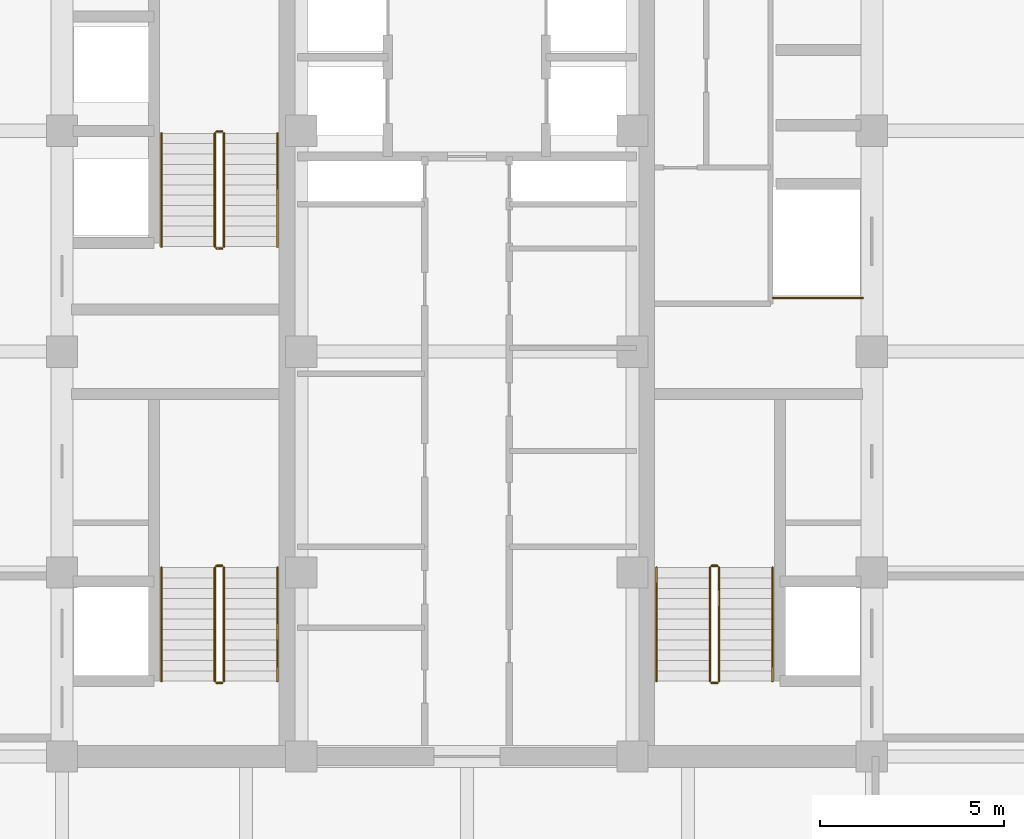
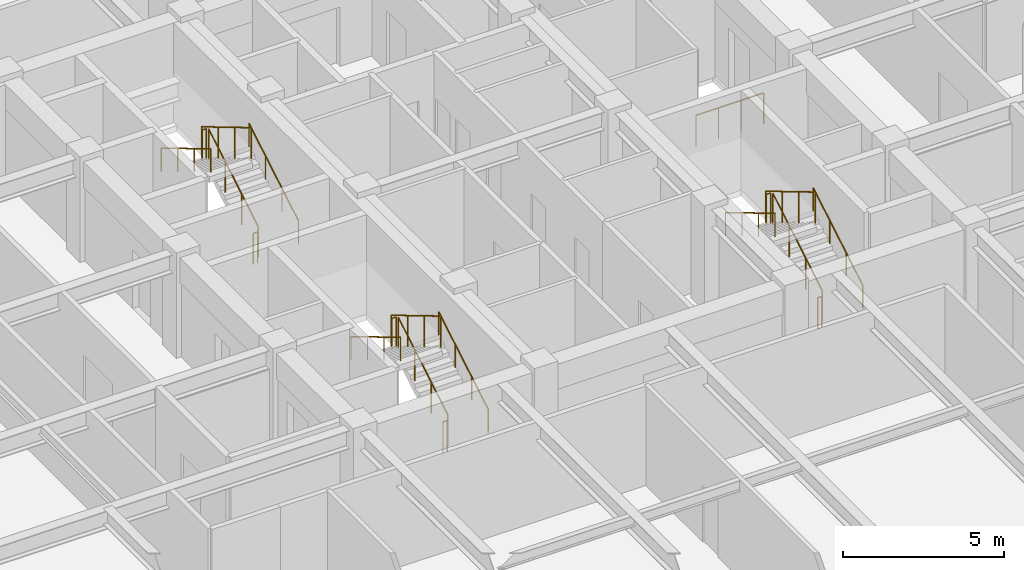
# One storey, part 25 of 25: 19 railings.
"""IFC4 building model written with IfcOpenShell, lengths in metres."""

import ifcopenshell
import ifcopenshell.guid

model = None  # the IFC model being written
_history = None  # IfcOwnerHistory: only IFC2X3 demands one
_inside = {}  # id of a spatial element -> (the spatial element, [elements in it])
_under = {}  # id of a project, library or spatial element -> (it, [spatial elements below it])
_declared = {}  # id of a project -> (the project, [libraries it declares])
_typed = {}  # id of a type object -> (the type object, [elements of that type])
_made_of = {}  # id of a material, layer set ... -> (it, [elements and type objects made of it])


def new_model(schema):
    """Start an empty IFC model of exactly this schema.

    Asked for "IFC4X3", IfcOpenShell would pick the latest addendum, in which some entities
    have other attributes; the version numbers below select the first issue.
    IFC2X3 requires an IfcOwnerHistory on every rooted entity: one is made here for all.
    """
    global model, _history
    if schema == "IFC4X3":
        model = ifcopenshell.file(schema_version=(4, 3, 0, 0))
    else:
        model = ifcopenshell.file(schema=schema)
    _inside.clear()
    _under.clear()
    _declared.clear()
    _typed.clear()
    _made_of.clear()
    _history = None
    if model.schema == "IFC2X3":
        org = make("IfcOrganization", Name="unknown")
        user = make(
            "IfcPersonAndOrganization",
            ThePerson=make("IfcPerson", FamilyName="unknown"),
            TheOrganization=org,
        )
        app = make(
            "IfcApplication",
            ApplicationDeveloper=org,
            Version="unknown",
            ApplicationFullName="unknown",
            ApplicationIdentifier="unknown",
        )
        _history = make(
            "IfcOwnerHistory",
            OwningUser=user,
            OwningApplication=app,
            ChangeAction="ADDED",
            CreationDate=0,
        )
    return model


def make(cls, **values):
    """One entity of the class cls with the attributes given. An attribute that is None is left unset."""
    return model.create_entity(
        cls, **{name: value for name, value in values.items() if value is not None}
    )


def rooted(cls, **values):
    """An entity with a GlobalId (a new one), such as an element, a storey or a relation."""
    return make(cls, GlobalId=ifcopenshell.guid.new(), OwnerHistory=_history, **values)


def si_unit(unit_type, name, prefix=None):
    """IfcSIUnit, for example si_unit("LENGTHUNIT", "METRE", prefix="MILLI")."""
    return make("IfcSIUnit", UnitType=unit_type, Prefix=prefix, Name=name)


def assignment(units):
    """IfcUnitAssignment: the units of a project."""
    return None if units is None else make("IfcUnitAssignment", Units=units)


def point(xyz):
    """IfcCartesianPoint."""
    return None if xyz is None else make("IfcCartesianPoint", Coordinates=xyz)


def direction(xyz):
    """IfcDirection."""
    return None if xyz is None else make("IfcDirection", DirectionRatios=xyz)


def frame(location, z_axis=None, x_axis=None):
    """IfcAxis2Placement3D, a coordinate frame: its origin and axes. An axis left out is left unset."""
    return make(
        "IfcAxis2Placement3D",
        Location=point(location),
        Axis=direction(z_axis),
        RefDirection=direction(x_axis),
    )


def frame_2d(location, x_axis=None):
    """IfcAxis2Placement2D, a coordinate frame in the plane: its origin and x axis."""
    return make(
        "IfcAxis2Placement2D", Location=point(location), RefDirection=direction(x_axis)
    )


def origin():
    """The frame at (0, 0, 0) with its axes left unset."""
    return frame((0.0, 0.0, 0.0))


def origin_2d():
    """The frame at (0, 0) in the plane with its x axis left unset."""
    return frame_2d((0.0, 0.0))


def place(relative_to, where):
    """IfcLocalPlacement: puts the frame where relative to a parent placement (None: the world)."""
    return make(
        "IfcLocalPlacement", PlacementRelTo=relative_to, RelativePlacement=where
    )


def context(
    kind, dimensions, precision=None, world=None, true_north=None, identifier=None
):
    """IfcGeometricRepresentationContext, for example the 3D "Model" context."""
    return make(
        "IfcGeometricRepresentationContext",
        ContextIdentifier=identifier,
        ContextType=kind,
        CoordinateSpaceDimension=dimensions,
        Precision=precision,
        WorldCoordinateSystem=world,
        TrueNorth=true_north,
    )


def subcontext(parent, identifier, kind, view, scale=None):
    """IfcGeometricRepresentationSubContext, for example "Body" below "Model"."""
    return make(
        "IfcGeometricRepresentationSubContext",
        ContextIdentifier=identifier,
        ContextType=kind,
        ParentContext=parent,
        TargetScale=scale,
        TargetView=view,
    )


def project(units=None, contexts=None):
    """IfcProject with its units and contexts."""
    return rooted(
        "IfcProject",
        Name="project",
        RepresentationContexts=contexts,
        UnitsInContext=assignment(units),
    )


def spatial(cls, under=None, at=None, **own):
    """A site, building, storey or space (cls), placed at a placement, below another one or the project."""
    s = rooted(cls, ObjectPlacement=at, **own)
    if under is not None:
        _under.setdefault(under.id(), (under, []))[1].append(s)
    return s


def profile(cls, at=None, kind="AREA", **sizes):
    """A parametric profile (cls). Its sizes go by their IFC names, for example OverallWidth=200.0."""
    return make(cls, ProfileType=kind, Position=at, **sizes)


def circle(**sizes):
    """IfcCircleProfileDef."""
    return profile("IfcCircleProfileDef", **sizes)


def extrude(swept, where, along, depth):
    """IfcExtrudedAreaSolid: the profile swept, set in the frame where, extruded along a direction by depth."""
    return make(
        "IfcExtrudedAreaSolid",
        SweptArea=swept,
        Position=where,
        ExtrudedDirection=direction(along),
        Depth=depth,
    )


def shape(context_of_items, identifier, shape_type, items):
    """IfcShapeRepresentation: the items that make up one representation, for example the "Body"."""
    return make(
        "IfcShapeRepresentation",
        ContextOfItems=context_of_items,
        RepresentationIdentifier=identifier,
        RepresentationType=shape_type,
        Items=items,
    )


def source(mapping_origin, context_of_items, identifier, shape_type, items):
    """IfcRepresentationMap: a shape defined once, which mapped items show again and again."""
    return make(
        "IfcRepresentationMap",
        MappingOrigin=mapping_origin,
        MappedRepresentation=shape(context_of_items, identifier, shape_type, items),
    )


def transform(
    local_origin,
    x_axis=None,
    y_axis=None,
    z_axis=None,
    scale=None,
    scale2=None,
    scale3=None,
    uniform=True,
):
    """IfcCartesianTransformationOperator3D, or its non-uniform kind. x_axis, y_axis, z_axis: its Axis1, 2, 3."""
    if uniform:
        return make(
            "IfcCartesianTransformationOperator3D",
            Axis1=direction(x_axis),
            Axis2=direction(y_axis),
            LocalOrigin=point(local_origin),
            Scale=scale,
            Axis3=direction(z_axis),
        )
    return make(
        "IfcCartesianTransformationOperator3DnonUniform",
        Axis1=direction(x_axis),
        Axis2=direction(y_axis),
        LocalOrigin=point(local_origin),
        Scale=scale,
        Axis3=direction(z_axis),
        Scale2=scale2,
        Scale3=scale3,
    )


def mapped(mapping_source, mapping_target):
    """IfcMappedItem: shows the shape of a source again, moved by a transform."""
    return make(
        "IfcMappedItem", MappingSource=mapping_source, MappingTarget=mapping_target
    )


def material(Name=None, Category=None):
    """IfcMaterial."""
    return make("IfcMaterial", Name=Name, Category=Category)


def made_of(thing, what):
    """Note that an element or type object is made of a material, layer set ...; save() writes the relation."""
    if what is not None:
        _made_of.setdefault(what.id(), (what, []))[1].append(thing)
    return thing


def type_object(cls, material=None, **own):
    """A type object (cls), such as IfcWallType, which elements share."""
    return made_of(rooted(cls, **own), material)


def element(
    cls,
    number,
    at=None,
    inside=None,
    cuts=None,
    type_object=None,
    material=None,
    context=None,
    identifier="Body",
    shape_type=None,
    held_by="IfcProductDefinitionShape",
    body=None,
    shapes=None,
    **own,
):
    """One element of the class cls, such as IfcWall. Its Tag is "e" and its number.

    at: its placement. inside: the storey or other place that contains it. cuts: it is an
    opening in that element (IfcRelVoidsElement). A single representation is given by context,
    identifier, shape_type and body (its items); several are given by shapes. held_by: the class
    of the entity that holds the representations. save() writes the other relations.
    """
    e = rooted(cls, Tag="e%d" % number, ObjectPlacement=at, **own)
    if body is not None:
        shapes = [shape(context, identifier, shape_type, body)]
    if shapes is not None:
        e.Representation = make(held_by, Representations=shapes)
    if inside is not None:
        _inside.setdefault(inside.id(), (inside, []))[1].append(e)
    if cuts is not None:
        rooted(
            "IfcRelVoidsElement", RelatingBuildingElement=cuts, RelatedOpeningElement=e
        )
    if type_object is not None:
        _typed.setdefault(type_object.id(), (type_object, []))[1].append(e)
    return made_of(e, material)


def aggregate(whole, parts):
    """IfcRelAggregates: a whole, such as a stair, and the parts it consists of."""
    return rooted("IfcRelAggregates", RelatingObject=whole, RelatedObjects=parts)


def save(model, path):
    """Write the relations noted so far, then the file.

    IfcRelAggregates (storeys below a building ...), IfcRelContainedInSpatialStructure (elements
    in a storey), IfcRelDefinesByType, IfcRelAssociatesMaterial and IfcRelDeclares: one each for
    every whole, place, type object, material and project.
    """
    for whole, parts in _under.values():
        aggregate(whole, parts)
    for where, things in _inside.values():
        rooted(
            "IfcRelContainedInSpatialStructure",
            RelatedElements=things,
            RelatingStructure=where,
        )
    for kind, things in _typed.values():
        rooted("IfcRelDefinesByType", RelatedObjects=things, RelatingType=kind)
    for what, things in _made_of.values():
        rooted("IfcRelAssociatesMaterial", RelatedObjects=things, RelatingMaterial=what)
    for by, libraries in _declared.values():
        rooted("IfcRelDeclares", RelatingContext=by, RelatedDefinitions=libraries)
    model.write(path)


model = new_model("IFC4")

# Units and contexts
model_context = context("Model", 3, precision=1e-05, world=origin(), true_north=direction((0.0, 1.0)))
body_context = subcontext(model_context, "Body", "Model", "MODEL_VIEW")
ifc_project = project(units=[si_unit("LENGTHUNIT", "METRE"), si_unit("AREAUNIT", "SQUARE_METRE"), si_unit("VOLUMEUNIT", "CUBIC_METRE"), si_unit("PLANEANGLEUNIT", "RADIAN"), si_unit("MASSUNIT", "GRAM", prefix="KILO")], contexts=[model_context])

# Site, building, storey
site_placement = place(None, origin())
site = spatial("IfcSite", under=ifc_project, at=site_placement, CompositionType="ELEMENT")
building_placement = place(site_placement, origin())
building = spatial("IfcBuilding", under=site, at=building_placement, Name="Khorayat Bourse Tower", CompositionType="ELEMENT")
storey_placement = place(building_placement, frame((0.0, 0.0, 255.10009765625)))
storey = spatial("IfcBuildingStorey", under=building, at=storey_placement, Name="L60", CompositionType="ELEMENT", Elevation=255.10009765625)

# Railings
ifc_material_1 = material(Name="Powder-coated steel balustrade", Category="steel")
railing_type_1 = type_object("IfcRailingType", Name="RLG-GUARD-1200", PredefinedType="GUARDRAIL", material=ifc_material_1)
shared_shape_1 = source(origin(), body_context, "Body", "SweptSolid", [
    extrude(circle(Radius=0.02392578125, at=origin_2d()), frame((0.0, 0.0, 1.17578125), z_axis=(-1.0, 0.0, 0.0), x_axis=(0.0, -1.0, 0.0)), (0.0, 0.0, 1.0), 0.150146484375),
    extrude(circle(Radius=0.02099609375, at=origin_2d()), origin(), (0.0, 0.0, 1.0), 1.15185546875),
    extrude(circle(Radius=0.02099609375, at=origin_2d()), frame((-0.150146484375, 0.0, 0.0)), (0.0, 0.0, 1.0), 1.15185546875),
])
for number, where, name in (
    (1, (-6.64990234375, -5.820068359375, 2.0), "L60 ST-1 stair guard 2"),
    (2, (-6.64990234375, -9.0, 0.0), "L60 ST-1 stair guard 4"),
    (3, (-6.64990234375, 5.97998046875, 2.0), "L60 ST-2 stair guard 2"),
    (4, (-6.64990234375, 2.800048828125, 0.0), "L60 ST-2 stair guard 4"),
    (5, (6.800048828125, -5.820068359375, 2.0), "L60 ST-3 stair guard 2"),
    (6, (6.800048828125, -9.0, 0.0), "L60 ST-3 stair guard 4"),
):
    element("IfcRailing", number, at=place(storey_placement, frame(where)), inside=storey, type_object=railing_type_1, Name=name, PredefinedType="GUARDRAIL", context=body_context, shape_type="MappedRepresentation", body=[
        mapped(shared_shape_1, transform((0.0, 0.0, 0.0), scale=1.0)),
    ])
shared_shape_2 = source(origin(), body_context, "Body", "SweptSolid", [
    extrude(circle(Radius=0.02392578125, at=origin_2d()), frame((0.0, 0.0, 1.17578125), z_axis=(0.0, 0.859260807169, 0.511537745687), x_axis=(-1.0, 0.0, 0.0)), (0.0, 0.0, 1.0), 3.584228515625),
    extrude(circle(Radius=0.02099609375, at=origin_2d()), origin(), (0.0, 0.0, 1.0), 1.15185546875),
    extrude(circle(Radius=0.02099609375, at=origin_2d()), frame((0.0, 1.026611328125, 0.611083984375)), (0.0, 0.0, 1.0), 1.15185546875),
    extrude(circle(Radius=0.02099609375, at=origin_2d()), frame((0.0, 2.05322265625, 1.222412109375)), (0.0, 0.0, 1.0), 1.15185546875),
    extrude(circle(Radius=0.02099609375, at=origin_2d()), frame((0.0, 3.079833984375, 1.83349609375)), (0.0, 0.0, 1.0), 1.15185546875),
])
for number, where, name in (
    (7, (-6.60009765625, -8.949951171875, 0.16650390625), "L60 ST-1 stair guard 1"),
    (8, (-6.60009765625, 2.85009765625, 0.16650390625), "L60 ST-2 stair guard 1"),
    (9, (6.85009765625, -8.949951171875, 0.16650390625), "L60 ST-3 stair guard 1"),
):
    element("IfcRailing", number, at=place(storey_placement, frame(where)), inside=storey, type_object=railing_type_1, Name=name, PredefinedType="GUARDRAIL", context=body_context, shape_type="MappedRepresentation", body=[
        mapped(shared_shape_2, transform((0.0, 0.0, 0.0), scale=1.0)),
    ])
shared_shape_3 = source(origin(), body_context, "Body", "SweptSolid", [
    extrude(circle(Radius=0.02392578125, at=origin_2d()), frame((0.0, 0.0, 1.17578125), z_axis=(0.0, -0.859260807169, 0.511537745687), x_axis=(1.0, 0.0, 0.0)), (0.0, 0.0, 1.0), 3.584228515625),
    extrude(circle(Radius=0.02099609375, at=origin_2d()), origin(), (0.0, 0.0, 1.0), 1.15185546875),
    extrude(circle(Radius=0.02099609375, at=origin_2d()), frame((0.0, -1.026611328125, 0.611083984375)), (0.0, 0.0, 1.0), 1.15185546875),
    extrude(circle(Radius=0.02099609375, at=origin_2d()), frame((0.0, -2.05322265625, 1.222412109375)), (0.0, 0.0, 1.0), 1.15185546875),
    extrude(circle(Radius=0.02099609375, at=origin_2d()), frame((0.0, -3.079833984375, 1.83349609375)), (0.0, 0.0, 1.0), 1.15185546875),
])
for number, where, name in (
    (10, (-6.85009765625, -5.8701171875, 2.16650390625), "L60 ST-1 stair guard 3"),
    (11, (-6.85009765625, 5.929931640625, 2.16650390625), "L60 ST-2 stair guard 3"),
    (12, (6.60009765625, -5.8701171875, 2.16650390625), "L60 ST-3 stair guard 3"),
):
    element("IfcRailing", number, at=place(storey_placement, frame(where)), inside=storey, type_object=railing_type_1, Name=name, PredefinedType="GUARDRAIL", context=body_context, shape_type="MappedRepresentation", body=[
        mapped(shared_shape_3, transform((0.0, 0.0, 0.0), scale=1.0)),
    ])
ifc_material_2 = material(Name="Brushed bronze stainless-steel handrail", Category="steel")
railing_type_2 = type_object("IfcRailingType", Name="RLG-HAND-900", PredefinedType="HANDRAIL", material=ifc_material_2)
shared_shape_4 = source(origin(), body_context, "Body", "SweptSolid", [
    extrude(circle(Radius=0.02392578125, at=origin_2d()), frame((0.0, 0.0, 0.8759765625), z_axis=(0.0, 0.859260807169, 0.511537745687), x_axis=(-1.0, 0.0, 0.0)), (0.0, 0.0, 1.0), 3.584228515625),
    extrude(circle(Radius=0.02099609375, at=origin_2d()), origin(), (0.0, 0.0, 1.0), 0.851806640625),
    extrude(circle(Radius=0.02099609375, at=origin_2d()), frame((0.0, 1.026611328125, 0.611083984375)), (0.0, 0.0, 1.0), 0.851806640625),
    extrude(circle(Radius=0.02099609375, at=origin_2d()), frame((0.0, 2.05322265625, 1.222412109375)), (0.0, 0.0, 1.0), 0.851806640625),
    extrude(circle(Radius=0.02099609375, at=origin_2d()), frame((0.0, 3.079833984375, 1.83349609375)), (0.0, 0.0, 1.0), 0.851806640625),
])
for number, where, name in (
    (13, (-5.14990234375, -8.949951171875, 0.16650390625), "L60 ST-1 stair handrail 1"),
    (14, (-5.14990234375, 2.85009765625, 0.16650390625), "L60 ST-2 stair handrail 1"),
    (15, (8.300048828125, -8.949951171875, 0.16650390625), "L60 ST-3 stair handrail 1"),
):
    element("IfcRailing", number, at=place(storey_placement, frame(where)), inside=storey, type_object=railing_type_2, Name=name, PredefinedType="HANDRAIL", context=body_context, shape_type="MappedRepresentation", body=[
        mapped(shared_shape_4, transform((0.0, 0.0, 0.0), scale=1.0)),
    ])
shared_shape_5 = source(origin(), body_context, "Body", "SweptSolid", [
    extrude(circle(Radius=0.02392578125, at=origin_2d()), frame((0.0, 0.0, 0.8759765625), z_axis=(0.0, -0.859260807169, 0.511537745687), x_axis=(1.0, 0.0, 0.0)), (0.0, 0.0, 1.0), 3.584228515625),
    extrude(circle(Radius=0.02099609375, at=origin_2d()), origin(), (0.0, 0.0, 1.0), 0.851806640625),
    extrude(circle(Radius=0.02099609375, at=origin_2d()), frame((0.0, -1.026611328125, 0.611083984375)), (0.0, 0.0, 1.0), 0.851806640625),
    extrude(circle(Radius=0.02099609375, at=origin_2d()), frame((0.0, -2.05322265625, 1.222412109375)), (0.0, 0.0, 1.0), 0.851806640625),
    extrude(circle(Radius=0.02099609375, at=origin_2d()), frame((0.0, -3.079833984375, 1.83349609375)), (0.0, 0.0, 1.0), 0.851806640625),
])
for number, where, name in (
    (16, (-8.300048828125, -5.8701171875, 2.16650390625), "L60 ST-1 stair handrail 2"),
    (17, (-8.300048828125, 5.929931640625, 2.16650390625), "L60 ST-2 stair handrail 2"),
    (18, (5.14990234375, -5.8701171875, 2.16650390625), "L60 ST-3 stair handrail 2"),
):
    element("IfcRailing", number, at=place(storey_placement, frame(where)), inside=storey, type_object=railing_type_2, Name=name, PredefinedType="HANDRAIL", context=body_context, shape_type="MappedRepresentation", body=[
        mapped(shared_shape_5, transform((0.0, 0.0, 0.0), scale=1.0)),
    ])
shared_shape_6 = source(origin(), body_context, "Body", "SweptSolid", [
    extrude(circle(Radius=0.02392578125, at=origin_2d()), frame((0.0, 0.0, 1.17578125), z_axis=(1.0, 0.0, 0.0), x_axis=(0.0, 1.0, 0.0)), (0.0, 0.0, 1.0), 2.429931640625),
    extrude(circle(Radius=0.02099609375, at=origin_2d()), origin(), (0.0, 0.0, 1.0), 1.15185546875),
    extrude(circle(Radius=0.02099609375, at=origin_2d()), frame((0.81005859375, 0.0, 0.0)), (0.0, 0.0, 1.0), 1.15185546875),
    extrude(circle(Radius=0.02099609375, at=origin_2d()), frame((1.619873046875, 0.0, 0.0)), (0.0, 0.0, 1.0), 1.15185546875),
    extrude(circle(Radius=0.02099609375, at=origin_2d()), frame((2.429931640625, 0.0, 0.0)), (0.0, 0.0, 1.0), 1.15185546875),
])
railing_placement = place(storey_placement, frame((8.320068359375, 1.4599609375, 0.0)))
element("IfcRailing", 19, at=railing_placement, inside=storey, type_object=railing_type_1, Name="L60 Goods Shaft Opening Guardrail", PredefinedType="GUARDRAIL", context=body_context, shape_type="MappedRepresentation", body=[
    mapped(shared_shape_6, transform((0.0, 0.0, 0.0), scale=1.0)),
])

save(model, "model.ifc")
